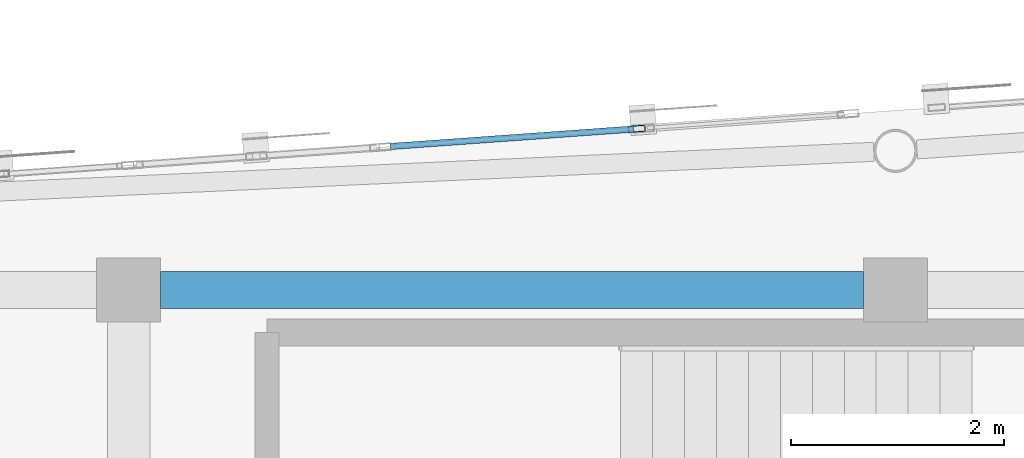
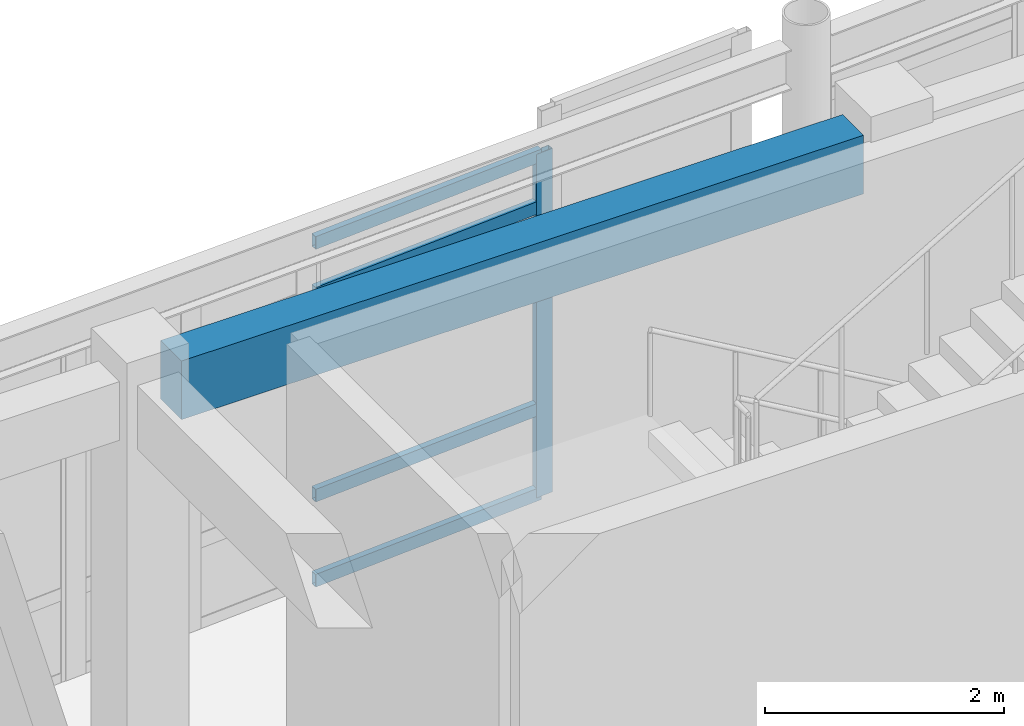
# One storey, part 39 of 113: 5 members, 1 beam, 1 element without a shape of its own.
"""IFC4 building model written with IfcOpenShell, lengths in metres."""

from ifc_helpers import new_model, si_unit, direction, frame, origin, origin_2d, place, context, subcontext, project, spatial, rectangle, hollow_rectangle, extrude, material, layer, layer_set, material_profile, profile_set, type_object, element, aggregate, save


model = new_model("IFC4")

# Units and contexts
model_context = context("Model", 3, precision=1e-05, world=origin(), true_north=direction((0.0, 1.0)))
body_context = subcontext(model_context, "Body", "Model", "MODEL_VIEW")
ifc_project = project(units=[si_unit("LENGTHUNIT", "METRE"), si_unit("AREAUNIT", "SQUARE_METRE"), si_unit("VOLUMEUNIT", "CUBIC_METRE"), si_unit("PLANEANGLEUNIT", "RADIAN"), si_unit("MASSUNIT", "GRAM", prefix="KILO")], contexts=[model_context])

# Site, building, storey
site_placement = place(None, origin())
site = spatial("IfcSite", under=ifc_project, at=site_placement, CompositionType="ELEMENT")
building_placement = place(site_placement, origin())
building = spatial("IfcBuilding", under=site, at=building_placement, Name="Carrowvane Square Congress Hotel", CompositionType="ELEMENT")
storey_placement = place(building_placement, frame((0.0, 0.0, 15.0)))
storey = spatial("IfcBuildingStorey", under=building, at=storey_placement, Name="L03", CompositionType="ELEMENT", Elevation=15.0)

# Beam
ifc_material_1 = material(Name="Concrete C35/45", Category="concrete")
ifc_material_profile_1 = material_profile(ifc_material_1, rectangle(XDim=0.35009765625, YDim=0.60009765625, at=origin_2d()), Name="RC 350x600")
ifc_profile_set_1 = profile_set([ifc_material_profile_1], Name="Concrete C35/45")
beam_type = type_object("IfcBeamType", Name="BM-RC-350x600", PredefinedType="BEAM", material=ifc_profile_set_1)
beam_placement = place(storey_placement, frame((55.10009765625, 113.39990234375, 3.639892578125), z_axis=(1.0, 0.0, 0.0), x_axis=(0.0, 1.0, 0.0)))
element("IfcBeam", 1, at=beam_placement, inside=storey, type_object=beam_type, Name="L04 girder R/7-8", PredefinedType="BEAM", context=body_context, shape_type="SweptSolid", body=[
    extrude(rectangle(XDim=0.35009765625, YDim=0.60009765625, at=origin_2d()), origin(), (0.0, 0.0, 1.0), 6.599853515625),
])

# Curtain wall, members
ifc_material_2 = material(Name="Anodised aluminium", Category="aluminium")
ifc_layer = layer(ifc_material_2, 0.162109375)
ifc_layer_set = layer_set([ifc_layer], Name="Anodised aluminium")
curtain_wall_type = type_object("IfcCurtainWallType", Name="CW-SYS-1", PredefinedType="NOTDEFINED", material=ifc_layer_set)
curtain_wall_placement = place(storey_placement, origin())
curtain_wall = element("IfcCurtainWall", 2, at=curtain_wall_placement, inside=storey, type_object=curtain_wall_type, Name="L03 unitised curtain wall 200", PredefinedType="NOTDEFINED")
ifc_material_3 = material(Name="Anodised aluminium", Category="aluminium")
ifc_material_profile_2 = material_profile(ifc_material_3, hollow_rectangle(XDim=0.06005859375, YDim=0.159912109375, WallThickness=0.00390625, at=origin_2d()), Name="CW-ML 60x160x4")
ifc_profile_set_2 = profile_set([ifc_material_profile_2], Name="Anodised aluminium")
member_type_1 = type_object("IfcMemberType", Name="CW-MUL-1", PredefinedType="MULLION", material=ifc_profile_set_2)
member_1_placement = place(storey_placement, frame((59.570068359375, 114.9130859375, 0.0), z_axis=(0.0, 0.0, 1.0), x_axis=(-0.071531759512, 0.997438322595, 0.0)))
member_1 = element("IfcMember", 3, at=member_1_placement, type_object=member_type_1, Name="CW-1 mullion 2", PredefinedType="MULLION", context=body_context, shape_type="SweptSolid", body=[
    extrude(hollow_rectangle(XDim=0.06005859375, YDim=0.159912109375, WallThickness=0.00390625, at=origin_2d()), origin(), (0.0, 0.0, 1.0), 3.515625),
])
ifc_material_4 = material(Name="Anodised aluminium", Category="aluminium")
ifc_material_profile_3 = material_profile(ifc_material_4, hollow_rectangle(XDim=0.06005859375, YDim=0.1298828125, WallThickness=0.00390625, at=origin_2d()), Name="CW-TR 60x130x4")
ifc_profile_set_3 = profile_set([ifc_material_profile_3], Name="Anodised aluminium")
member_type_2 = type_object("IfcMemberType", Name="CW-TRN-1", PredefinedType="USERDEFINED", material=ifc_profile_set_3)
member_2_placement = place(storey_placement, frame((57.259765625, 114.747314453125, 0.030029296875), z_axis=(0.997437516621, 0.071542997124, 0.0), x_axis=(-0.071542997124, 0.997437516621, 0.0)))
member_2 = element("IfcMember", 4, at=member_2_placement, type_object=member_type_2, Name="CW-1 transom 1.1", ObjectType="TRANSOM", PredefinedType="USERDEFINED", context=body_context, shape_type="SweptSolid", body=[
    extrude(hollow_rectangle(XDim=0.06005859375, YDim=0.1298828125, WallThickness=0.00390625, at=origin_2d()), origin(), (0.0, 0.0, 1.0), 2.286376953125),
])
member_3_placement = place(storey_placement, frame((57.259765625, 114.747314453125, 0.89990234375), z_axis=(0.997437516621, 0.071542997124, 0.0), x_axis=(-0.071542997124, 0.997437516621, 0.0)))
member_3 = element("IfcMember", 5, at=member_3_placement, type_object=member_type_2, Name="CW-1 transom 1.2", ObjectType="TRANSOM", PredefinedType="USERDEFINED", context=body_context, shape_type="SweptSolid", body=[
    extrude(hollow_rectangle(XDim=0.06005859375, YDim=0.1298828125, WallThickness=0.00390625, at=origin_2d()), origin(), (0.0, 0.0, 1.0), 2.286376953125),
])
member_4_placement = place(storey_placement, frame((57.259765625, 114.747314453125, 2.965576171875), z_axis=(0.997437516621, 0.071542997124, 0.0), x_axis=(-0.071542997124, 0.997437516621, 0.0)))
member_4 = element("IfcMember", 6, at=member_4_placement, type_object=member_type_2, Name="CW-1 transom 1.3", ObjectType="TRANSOM", PredefinedType="USERDEFINED", context=body_context, shape_type="SweptSolid", body=[
    extrude(hollow_rectangle(XDim=0.06005859375, YDim=0.1298828125, WallThickness=0.00390625, at=origin_2d()), origin(), (0.0, 0.0, 1.0), 2.286376953125),
])
member_5_placement = place(storey_placement, frame((57.259765625, 114.747314453125, 3.485595703125), z_axis=(0.997437516621, 0.071542997124, 0.0), x_axis=(-0.071542997124, 0.997437516621, 0.0)))
member_5 = element("IfcMember", 7, at=member_5_placement, type_object=member_type_2, Name="CW-1 transom 1.4", ObjectType="TRANSOM", PredefinedType="USERDEFINED", context=body_context, shape_type="SweptSolid", body=[
    extrude(hollow_rectangle(XDim=0.06005859375, YDim=0.1298828125, WallThickness=0.00390625, at=origin_2d()), origin(), (0.0, 0.0, 1.0), 2.286376953125),
])
aggregate(curtain_wall, [member_1, member_2, member_3, member_4, member_5])

save(model, "model.ifc")
